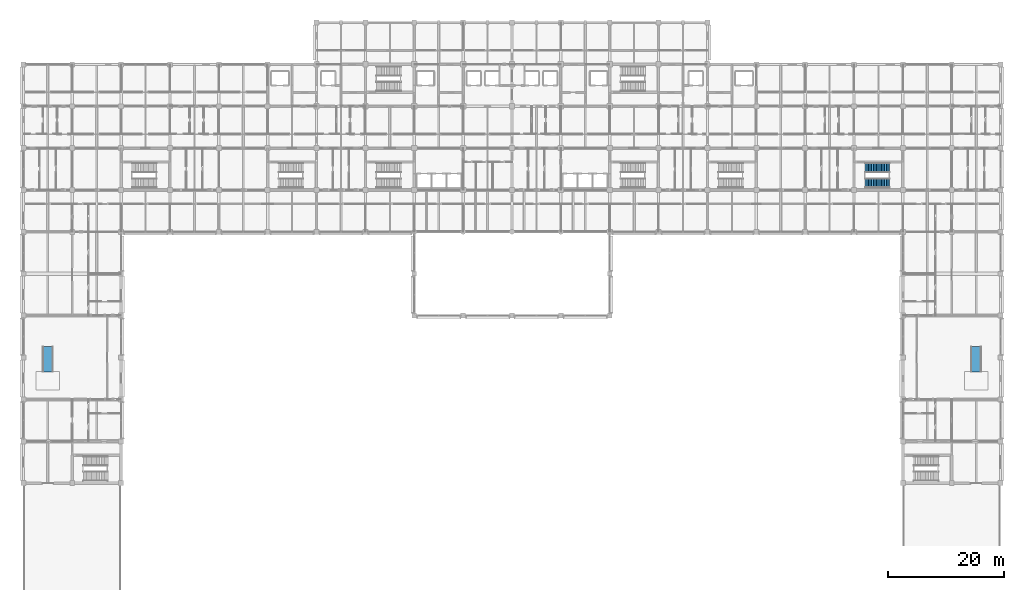
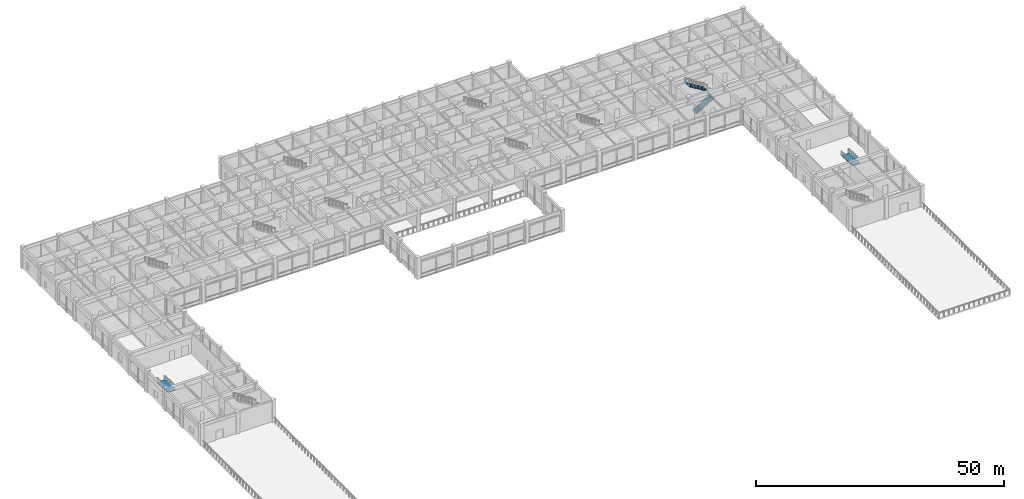
# One storey, part 44 of 51: 2 ramp flights, 2 stair flights, 3 elements without a shape of their own.
"""IFC4 building model written with IfcOpenShell, lengths in metres."""

from ifc_helpers import new_model, si_unit, direction, frame, origin, place, context, subcontext, project, spatial, polyline, outline, extrude, material, layer, layer_set, type_object, element, aggregate, save


model = new_model("IFC4")

# Units and contexts
model_context = context("Model", 3, precision=1e-05, world=origin(), true_north=direction((0.0, 1.0)))
body_context = subcontext(model_context, "Body", "Model", "MODEL_VIEW")
ifc_project = project(units=[si_unit("LENGTHUNIT", "METRE"), si_unit("AREAUNIT", "SQUARE_METRE"), si_unit("VOLUMEUNIT", "CUBIC_METRE"), si_unit("PLANEANGLEUNIT", "RADIAN"), si_unit("MASSUNIT", "GRAM", prefix="KILO")], contexts=[model_context])

# Site, building, storey
site_placement = place(None, origin())
site = spatial("IfcSite", under=ifc_project, at=site_placement, CompositionType="ELEMENT")
building_placement = place(site_placement, origin())
building = spatial("IfcBuilding", under=site, at=building_placement, Name="Chengyuan Square Courthouse", CompositionType="ELEMENT")
storey_placement = place(building_placement, frame((0.0, 0.0, 10.800048828125)))
storey = spatial("IfcBuildingStorey", under=building, at=storey_placement, Name="L03", CompositionType="ELEMENT", Elevation=10.800048828125)

# Stair, stair flights
ifc_material = material(Name="Concrete C40", Category="concrete")
stair_type = type_object("IfcStairType", Name="ST-TYPE-10", PredefinedType="HALF_TURN_STAIR", material=ifc_material)
stair_placement = place(storey_placement, origin())
stair = element("IfcStair", 1, at=stair_placement, inside=storey, type_object=stair_type, Name="Smoke-Proof Exit Stair ST-10 (L03 to L04)", PredefinedType="HALF_TURN_STAIR")
stair_flight_type = type_object("IfcStairFlightType", Name="STF-TYPE-10", PredefinedType="STRAIGHT", material=ifc_material)
stair_flight_1_placement = place(storey_placement, frame((144.7099609375, 87.574951171875, 0.0), z_axis=(0.0, 0.0, 1.0), x_axis=(1.0, 0.0, 0.0)))
stair_flight_1 = element("IfcStairFlight", 2, at=stair_flight_1_placement, type_object=stair_flight_type, Name="ST-10 flight 1", NumberOfRisers=16, NumberOfTreads=15, PredefinedType="STRAIGHT", RiserHeight=0.16875, TreadLength=0.28, context=body_context, shape_type="SweptSolid", body=[
    extrude(outline(polyline([(0.0, 0.0), (0.0, 0.168701171875), (0.280029296875, 0.168701171875), (0.280029296875, 0.33740234375), (0.56005859375, 0.33740234375), (0.56005859375, 0.50634765625), (0.840087890625, 0.50634765625), (0.840087890625, 0.675048828125), (1.1201171875, 0.675048828125), (1.1201171875, 0.84375), (1.39990234375, 0.84375), (1.39990234375, 1.012451171875), (1.679931640625, 1.012451171875), (1.679931640625, 1.18115234375), (1.9599609375, 1.18115234375), (1.9599609375, 1.35009765625), (2.239990234375, 1.35009765625), (2.239990234375, 1.518798828125), (2.52001953125, 1.518798828125), (2.52001953125, 1.6875), (2.800048828125, 1.6875), (2.800048828125, 1.856201171875), (3.080078125, 1.856201171875), (3.080078125, 2.02490234375), (3.360107421875, 2.02490234375), (3.360107421875, 2.19384765625), (3.639892578125, 2.19384765625), (3.639892578125, 2.362548828125), (3.919921875, 2.362548828125), (3.919921875, 2.53125), (4.199951171875, 2.53125), (4.199951171875, 2.699951171875), (4.199951171875, 2.356201171875), (0.29052734375, 0.0), (0.0, 0.0)])), frame((0.0, 0.824951171875, 0.0), z_axis=(0.0, -1.0, 0.0), x_axis=(1.0, 0.0, 0.0)), (0.0, 0.0, 1.0), 1.64990234375),
])
stair_flight_2_placement = place(storey_placement, frame((148.909912109375, 90.22509765625, 2.699951171875), z_axis=(0.0, 0.0, 1.0), x_axis=(-1.0, 0.0, 0.0)))
stair_flight_2 = element("IfcStairFlight", 3, at=stair_flight_2_placement, type_object=stair_flight_type, Name="ST-10 flight 2", NumberOfRisers=16, NumberOfTreads=15, PredefinedType="STRAIGHT", RiserHeight=0.16875, TreadLength=0.28, context=body_context, shape_type="SweptSolid", body=[
    extrude(outline(polyline([(0.0, 0.0), (0.0, 0.168701171875), (0.280029296875, 0.168701171875), (0.280029296875, 0.33740234375), (0.56005859375, 0.33740234375), (0.56005859375, 0.50634765625), (0.840087890625, 0.50634765625), (0.840087890625, 0.675048828125), (1.1201171875, 0.675048828125), (1.1201171875, 0.84375), (1.39990234375, 0.84375), (1.39990234375, 1.012451171875), (1.679931640625, 1.012451171875), (1.679931640625, 1.18115234375), (1.9599609375, 1.18115234375), (1.9599609375, 1.35009765625), (2.239990234375, 1.35009765625), (2.239990234375, 1.518798828125), (2.52001953125, 1.518798828125), (2.52001953125, 1.6875), (2.800048828125, 1.6875), (2.800048828125, 1.856201171875), (3.080078125, 1.856201171875), (3.080078125, 2.02490234375), (3.360107421875, 2.02490234375), (3.360107421875, 2.19384765625), (3.639892578125, 2.19384765625), (3.639892578125, 2.362548828125), (3.919921875, 2.362548828125), (3.919921875, 2.53125), (4.199951171875, 2.53125), (4.199951171875, 2.699951171875), (4.199951171875, 2.356201171875), (0.29052734375, 0.0), (0.0, 0.0)])), frame((0.0, 0.824951171875, 0.0), z_axis=(0.0, -1.0, 0.0), x_axis=(1.0, 0.0, 0.0)), (0.0, 0.0, 1.0), 1.64990234375),
])
aggregate(stair, [stair_flight_1, stair_flight_2])

# Ramp, ramp flight
ramp_type = type_object("IfcRampType", Name="RMP-A1", PredefinedType="STRAIGHT_RUN_RAMP", material=ifc_material)
ramp_1_placement = place(storey_placement, origin())
ramp_1 = element("IfcRamp", 4, at=ramp_1_placement, inside=storey, type_object=ramp_type, Name="Accessible Judicial Bench Ramp 1", PredefinedType="STRAIGHT_RUN_RAMP")
ifc_layer = layer(ifc_material, 0.199951171875)
ifc_layer_set = layer_set([ifc_layer], Name="Concrete C40")
ramp_flight_type = type_object("IfcRampFlightType", Name="RMF-A1", PredefinedType="STRAIGHT", material=ifc_layer_set)
ramp_flight_1_placement = place(storey_placement, frame((3.300048828125, 59.469970703125, 0.0), z_axis=(0.0, 0.06238179763, 0.99805235901), x_axis=(1.0, 0.0, 0.0)))
ramp_flight_1 = element("IfcRampFlight", 5, at=ramp_flight_1_placement, type_object=ramp_flight_type, Name="Accessible Judicial Bench Ramp Flight 1", PredefinedType="STRAIGHT", context=body_context, shape_type="SweptSolid", body=[
    extrude(outline(polyline([(0.0, 0.0), (1.800048828125, 0.0), (1.800048828125, -4.328498720911152), (0.0, -4.328498720911152), (0.0, 0.0)])), origin(), (0.0, 0.0, -1.0), 0.199951171875),
])
aggregate(ramp_1, [ramp_flight_1])

ramp_2_placement = place(storey_placement, origin())
ramp_2 = element("IfcRamp", 6, at=ramp_2_placement, inside=storey, type_object=ramp_type, Name="Accessible Judicial Bench Ramp 2", PredefinedType="STRAIGHT_RUN_RAMP")
ramp_flight_2_placement = place(storey_placement, frame((162.89990234375, 59.469970703125, 0.0), z_axis=(0.0, 0.06238179763, 0.99805235901), x_axis=(1.0, 0.0, 0.0)))
ramp_flight_2 = element("IfcRampFlight", 7, at=ramp_flight_2_placement, type_object=ramp_flight_type, Name="Accessible Judicial Bench Ramp Flight 2", PredefinedType="STRAIGHT", context=body_context, shape_type="SweptSolid", body=[
    extrude(outline(polyline([(0.0, 0.0), (1.800048828125, 0.0), (1.800048828125, -4.328498720911152), (0.0, -4.328498720911152), (0.0, 0.0)])), origin(), (0.0, 0.0, -1.0), 0.199951171875),
])
aggregate(ramp_2, [ramp_flight_2])

save(model, "model.ifc")
